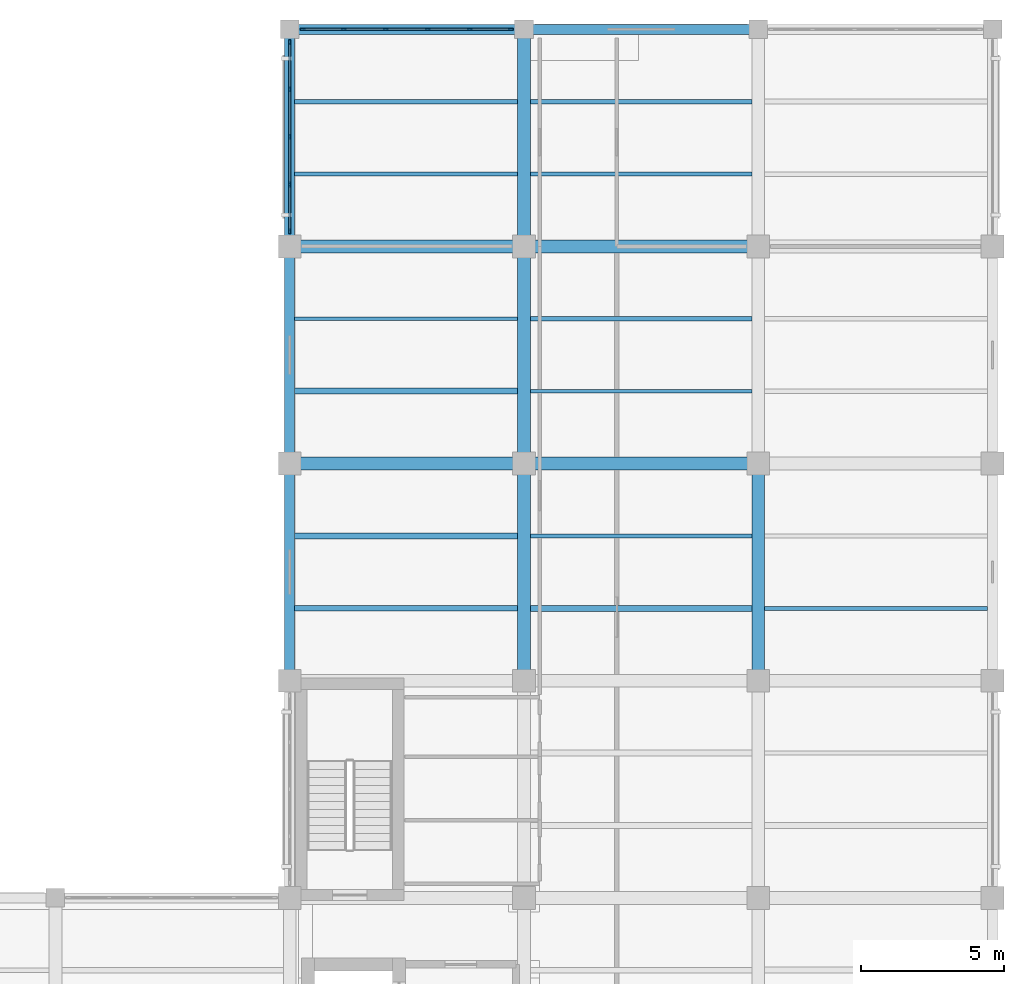
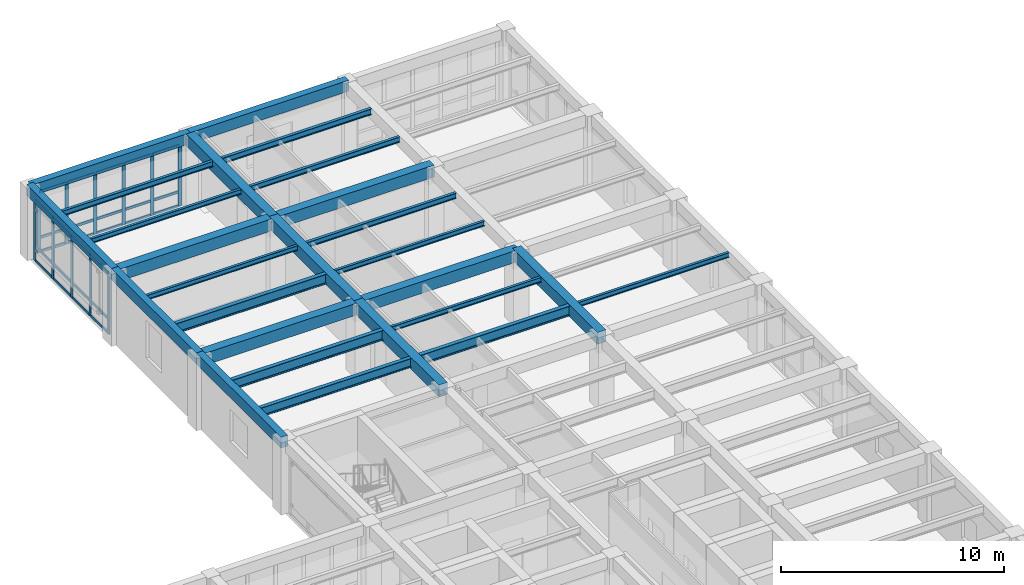
# One storey, part 4 of 14: 38 members, 26 beams, 2 elements without a shape of their own.
"""IFC4 building model written with IfcOpenShell, lengths in metres."""

from ifc_helpers import new_model, si_unit, direction, frame, origin, origin_2d, place, context, subcontext, project, spatial, rectangle, i_section, extrude, material, material_profile, profile_set, type_object, element, aggregate, save


model = new_model("IFC4")

# Units and contexts
model_context = context("Model", 3, precision=1e-05, world=origin(), true_north=direction((0.0, 1.0)))
body_context = subcontext(model_context, "Body", "Model", "MODEL_VIEW")
ifc_project = project(units=[si_unit("LENGTHUNIT", "METRE"), si_unit("AREAUNIT", "SQUARE_METRE"), si_unit("VOLUMEUNIT", "CUBIC_METRE"), si_unit("PLANEANGLEUNIT", "RADIAN"), si_unit("MASSUNIT", "GRAM", prefix="KILO")], contexts=[model_context])

# Site, building, storey
site_placement = place(None, origin())
site = spatial("IfcSite", under=ifc_project, at=site_placement, CompositionType="ELEMENT")
building_placement = place(site_placement, origin())
building = spatial("IfcBuilding", under=site, at=building_placement, Name="Qandaris Square Conservatory and Botanical Centre", CompositionType="ELEMENT")
storey_placement = place(building_placement, frame((0.0, 0.0, 40.800048828125)))
storey = spatial("IfcBuildingStorey", under=building, at=storey_placement, Name="L09", CompositionType="ELEMENT", Elevation=40.800048828125)

# Beams
ifc_material_1 = material(Name="Steel S355", Category="steel")
ifc_material_profile_1 = material_profile(ifc_material_1, i_section(OverallWidth=0.199951171875, OverallDepth=0.5, WebThickness=0.01025390625, FlangeThickness=0.01611328125, FilletRadius=0.02099609375, at=origin_2d()), Name="IPE 500")
ifc_profile_set_1 = profile_set([ifc_material_profile_1], Name="Steel S355")
beam_type_1 = type_object("IfcBeamType", Name="Composite Gallery Joist IPE 500", PredefinedType="JOIST", material=ifc_profile_set_1)
beam_1_placement = place(storey_placement, frame((139.375, 49.533203125, 3.679931640625), z_axis=(1.0, 0.0, 0.0), x_axis=(0.0, 1.0, 0.0)))
element("IfcBeam", 1, at=beam_1_placement, inside=storey, type_object=beam_type_1, Name="L09 Composite Joist 2401", PredefinedType="JOIST", context=body_context, shape_type="SweptSolid", body=[
    extrude(i_section(OverallWidth=0.199951171875, OverallDepth=0.5, WebThickness=0.01025390625, FlangeThickness=0.01611328125, FilletRadius=0.02099609375, at=origin_2d()), origin(), (0.0, 0.0, 1.0), 7.800048828125),
])
ifc_material_profile_2 = material_profile(ifc_material_1, i_section(OverallWidth=0.14990234375, OverallDepth=0.300048828125, WebThickness=0.007080078125, FlangeThickness=0.0107421875, FilletRadius=0.014892578125, at=origin_2d()), Name="IPE 300")
ifc_profile_set_2 = profile_set([ifc_material_profile_2], Name="Steel S355")
beam_type_2 = type_object("IfcBeamType", Name="Composite Lab Joist IPE 300", PredefinedType="JOIST", material=ifc_profile_set_2)
beam_2_placement = place(storey_placement, frame((139.375, 67.2666015625, 3.780029296875), z_axis=(1.0, 0.0, 0.0), x_axis=(0.0, 1.0, 0.0)))
element("IfcBeam", 2, at=beam_2_placement, inside=storey, type_object=beam_type_2, Name="L09 Composite Joist 2406", PredefinedType="JOIST", context=body_context, shape_type="SweptSolid", body=[
    extrude(i_section(OverallWidth=0.14990234375, OverallDepth=0.300048828125, WebThickness=0.007080078125, FlangeThickness=0.0107421875, FilletRadius=0.014892578125, at=origin_2d()), origin(), (0.0, 0.0, 1.0), 7.800048828125),
])
for number, where, z_axis, x_axis, name in (
    (3, (147.625, 59.666748046875, 3.780029296875), (1.0, 0.0, 0.0), (0.0, 1.0, 0.0), "L09 Composite Joist 2415"),
    (4, (147.625, 64.7333984375, 3.780029296875), (1.0, 0.0, 0.0), (0.0, 1.0, 0.0), "L09 Composite Joist 2416"),
):
    element("IfcBeam", number, at=place(storey_placement, frame(where, z_axis=z_axis, x_axis=x_axis)), inside=storey, type_object=beam_type_2, Name=name, PredefinedType="JOIST", context=body_context, shape_type="SweptSolid", body=[
        extrude(i_section(OverallWidth=0.14990234375, OverallDepth=0.300048828125, WebThickness=0.007080078125, FlangeThickness=0.0107421875, FilletRadius=0.014892578125, at=origin_2d()), origin(), (0.0, 0.0, 1.0), 7.75),
    ])
ifc_material_profile_3 = material_profile(ifc_material_1, i_section(OverallWidth=0.159912109375, OverallDepth=0.330078125, WebThickness=0.007568359375, FlangeThickness=0.011474609375, FilletRadius=0.01806640625, at=origin_2d()), Name="IPE 330")
ifc_profile_set_3 = profile_set([ifc_material_profile_3], Name="Steel S355")
beam_type_3 = type_object("IfcBeamType", Name="Composite Lab Joist IPE 330", PredefinedType="JOIST", material=ifc_profile_set_3)
beam_3_placement = place(storey_placement, frame((147.625, 67.2666015625, 3.764892578125), z_axis=(1.0, 0.0, 0.0), x_axis=(0.0, 1.0, 0.0)))
element("IfcBeam", 5, at=beam_3_placement, inside=storey, type_object=beam_type_3, Name="L09 Composite Joist 2417", PredefinedType="JOIST", context=body_context, shape_type="SweptSolid", body=[
    extrude(i_section(OverallWidth=0.159912109375, OverallDepth=0.330078125, WebThickness=0.007568359375, FlangeThickness=0.011474609375, FilletRadius=0.01806640625, at=origin_2d()), origin(), (0.0, 0.0, 1.0), 7.75),
])

# Curtain wall, members
ifc_material_2 = material(Name="Anodised Aluminium", Category="aluminium")
curtain_wall_type_1 = type_object("IfcCurtainWallType", Name="Unitised Curtain Wall CW-3-735x334", PredefinedType="USERDEFINED", material=ifc_material_2)
curtain_wall_1_placement = place(storey_placement, origin())
curtain_wall_1 = element("IfcCurtainWall", 6, at=curtain_wall_1_placement, inside=storey, type_object=curtain_wall_type_1, Name="Curtain Wall CW-TWR-L09-3-3", ObjectType="GLAZED CURTAIN WALL", PredefinedType="USERDEFINED")
ifc_material_profile_4 = material_profile(ifc_material_2, rectangle(XDim=0.06494140625, YDim=0.179931640625, at=origin_2d()), Name="ALU-MUL 65x180")
ifc_profile_set_4 = profile_set([ifc_material_profile_4], Name="Anodised Aluminium")
member_type_1 = type_object("IfcMemberType", Name="Curtain Wall Mullion 65x180", PredefinedType="MULLION", material=ifc_profile_set_4)
member_1_placement = place(storey_placement, frame((146.9423828125, 69.800048828125, 0.0), z_axis=(0.0, 0.0, 1.0), x_axis=(0.0, -1.0, 0.0)))
member_1 = element("IfcMember", 7, at=member_1_placement, type_object=member_type_1, Name="CW-3-735x334 mullion 1", PredefinedType="MULLION", context=body_context, shape_type="SweptSolid", body=[
    extrude(rectangle(XDim=0.06494140625, YDim=0.179931640625, at=origin_2d()), origin(), (0.0, 0.0, 1.0), 3.33984375),
])
member_2_placement = place(storey_placement, frame((145.5048828125, 69.800048828125, 0.0), z_axis=(0.0, 0.0, 1.0), x_axis=(0.0, -1.0, 0.0)))
member_2 = element("IfcMember", 8, at=member_2_placement, type_object=member_type_1, Name="CW-3-735x334 mullion 2", PredefinedType="MULLION", context=body_context, shape_type="SweptSolid", body=[
    extrude(rectangle(XDim=0.06494140625, YDim=0.179931640625, at=origin_2d()), origin(), (0.0, 0.0, 1.0), 3.33984375),
])
member_3_placement = place(storey_placement, frame((144.034912109375, 69.800048828125, 0.0), z_axis=(0.0, 0.0, 1.0), x_axis=(0.0, -1.0, 0.0)))
member_3 = element("IfcMember", 9, at=member_3_placement, type_object=member_type_1, Name="CW-3-735x334 mullion 3", PredefinedType="MULLION", context=body_context, shape_type="SweptSolid", body=[
    extrude(rectangle(XDim=0.06494140625, YDim=0.179931640625, at=origin_2d()), origin(), (0.0, 0.0, 1.0), 3.33984375),
])
member_4_placement = place(storey_placement, frame((142.56494140625, 69.800048828125, 0.0), z_axis=(0.0, 0.0, 1.0), x_axis=(0.0, -1.0, 0.0)))
member_4 = element("IfcMember", 10, at=member_4_placement, type_object=member_type_1, Name="CW-3-735x334 mullion 4", PredefinedType="MULLION", context=body_context, shape_type="SweptSolid", body=[
    extrude(rectangle(XDim=0.06494140625, YDim=0.179931640625, at=origin_2d()), origin(), (0.0, 0.0, 1.0), 3.33984375),
])
member_5_placement = place(storey_placement, frame((141.094970703125, 69.800048828125, 0.0), z_axis=(0.0, 0.0, 1.0), x_axis=(0.0, -1.0, 0.0)))
member_5 = element("IfcMember", 11, at=member_5_placement, type_object=member_type_1, Name="CW-3-735x334 mullion 5", PredefinedType="MULLION", context=body_context, shape_type="SweptSolid", body=[
    extrude(rectangle(XDim=0.06494140625, YDim=0.179931640625, at=origin_2d()), origin(), (0.0, 0.0, 1.0), 3.33984375),
])
member_6_placement = place(storey_placement, frame((139.657470703125, 69.800048828125, 0.0), z_axis=(0.0, 0.0, 1.0), x_axis=(0.0, -1.0, 0.0)))
member_6 = element("IfcMember", 12, at=member_6_placement, type_object=member_type_1, Name="CW-3-735x334 mullion 6", PredefinedType="MULLION", context=body_context, shape_type="SweptSolid", body=[
    extrude(rectangle(XDim=0.06494140625, YDim=0.179931640625, at=origin_2d()), origin(), (0.0, 0.0, 1.0), 3.33984375),
])

curtain_wall_type_2 = type_object("IfcCurtainWallType", Name="Unitised Curtain Wall CW-4-667x334", PredefinedType="USERDEFINED", material=ifc_material_2)
curtain_wall_2_placement = place(storey_placement, origin())
curtain_wall_2 = element("IfcCurtainWall", 13, at=curtain_wall_2_placement, inside=storey, type_object=curtain_wall_type_2, Name="Curtain Wall CW-TWR-L09-4-1", ObjectType="GLAZED CURTAIN WALL", PredefinedType="USERDEFINED")
member_7_placement = place(storey_placement, frame((139.199951171875, 69.342529296875, 0.0), z_axis=(0.0, 0.0, 1.0), x_axis=(1.0, 0.0, 0.0)))
member_7 = element("IfcMember", 14, at=member_7_placement, type_object=member_type_1, Name="CW-4-667x334 mullion 1", PredefinedType="MULLION", context=body_context, shape_type="SweptSolid", body=[
    extrude(rectangle(XDim=0.06494140625, YDim=0.179931640625, at=origin_2d()), origin(), (0.0, 0.0, 1.0), 3.33984375),
])
member_8_placement = place(storey_placement, frame((139.199951171875, 67.706298828125, 0.0), z_axis=(0.0, 0.0, 1.0), x_axis=(1.0, 0.0, 0.0)))
member_8 = element("IfcMember", 15, at=member_8_placement, type_object=member_type_1, Name="CW-4-667x334 mullion 2", PredefinedType="MULLION", context=body_context, shape_type="SweptSolid", body=[
    extrude(rectangle(XDim=0.06494140625, YDim=0.179931640625, at=origin_2d()), origin(), (0.0, 0.0, 1.0), 3.33984375),
])
member_9_placement = place(storey_placement, frame((139.199951171875, 66.03759765625, 0.0), z_axis=(0.0, 0.0, 1.0), x_axis=(1.0, 0.0, 0.0)))
member_9 = element("IfcMember", 16, at=member_9_placement, type_object=member_type_1, Name="CW-4-667x334 mullion 3", PredefinedType="MULLION", context=body_context, shape_type="SweptSolid", body=[
    extrude(rectangle(XDim=0.06494140625, YDim=0.179931640625, at=origin_2d()), origin(), (0.0, 0.0, 1.0), 3.33984375),
])
member_10_placement = place(storey_placement, frame((139.199951171875, 64.36865234375, 0.0), z_axis=(0.0, 0.0, 1.0), x_axis=(1.0, 0.0, 0.0)))
member_10 = element("IfcMember", 17, at=member_10_placement, type_object=member_type_1, Name="CW-4-667x334 mullion 4", PredefinedType="MULLION", context=body_context, shape_type="SweptSolid", body=[
    extrude(rectangle(XDim=0.06494140625, YDim=0.179931640625, at=origin_2d()), origin(), (0.0, 0.0, 1.0), 3.33984375),
])
member_11_placement = place(storey_placement, frame((139.199951171875, 62.732421875, 0.0), z_axis=(0.0, 0.0, 1.0), x_axis=(1.0, 0.0, 0.0)))
member_11 = element("IfcMember", 18, at=member_11_placement, type_object=member_type_1, Name="CW-4-667x334 mullion 5", PredefinedType="MULLION", context=body_context, shape_type="SweptSolid", body=[
    extrude(rectangle(XDim=0.06494140625, YDim=0.179931640625, at=origin_2d()), origin(), (0.0, 0.0, 1.0), 3.33984375),
])

# Member
ifc_material_profile_5 = material_profile(ifc_material_2, rectangle(XDim=0.06494140625, YDim=0.139892578125, at=origin_2d()), Name="ALU-TRN 65x140")
ifc_profile_set_5 = profile_set([ifc_material_profile_5], Name="Anodised Aluminium")
member_type_2 = type_object("IfcMemberType", Name="Curtain Wall Transom 65x140", PredefinedType="USERDEFINED", material=ifc_profile_set_5)
member_12_placement = place(storey_placement, frame((146.909912109375, 69.800048828125, 0.032470703125), z_axis=(-1.0, 0.0, 0.0), x_axis=(0.0, -1.0, 0.0)))
member_12 = element("IfcMember", 19, at=member_12_placement, type_object=member_type_2, Name="CW-3-735x334 transom 1.1", ObjectType="TRANSOM", PredefinedType="USERDEFINED", context=body_context, shape_type="SweptSolid", body=[
    extrude(rectangle(XDim=0.06494140625, YDim=0.139892578125, at=origin_2d()), origin(), (0.0, 0.0, 1.0), 1.372314453125),
])

member_13_placement = place(storey_placement, frame((146.909912109375, 69.800048828125, 0.801513671875), z_axis=(-1.0, 0.0, 0.0), x_axis=(0.0, -1.0, 0.0)))
member_13 = element("IfcMember", 20, at=member_13_placement, type_object=member_type_2, Name="CW-3-735x334 transom 1.2", ObjectType="TRANSOM", PredefinedType="USERDEFINED", context=body_context, shape_type="SweptSolid", body=[
    extrude(rectangle(XDim=0.06494140625, YDim=0.139892578125, at=origin_2d()), origin(), (0.0, 0.0, 1.0), 1.372314453125),
])

member_14_placement = place(storey_placement, frame((146.909912109375, 69.800048828125, 3.307373046875), z_axis=(-1.0, 0.0, 0.0), x_axis=(0.0, -1.0, 0.0)))
member_14 = element("IfcMember", 21, at=member_14_placement, type_object=member_type_2, Name="CW-3-735x334 transom 1.3", ObjectType="TRANSOM", PredefinedType="USERDEFINED", context=body_context, shape_type="SweptSolid", body=[
    extrude(rectangle(XDim=0.06494140625, YDim=0.139892578125, at=origin_2d()), origin(), (0.0, 0.0, 1.0), 1.372314453125),
])

member_15_placement = place(storey_placement, frame((145.472412109375, 69.800048828125, 0.032470703125), z_axis=(-1.0, 0.0, 0.0), x_axis=(0.0, -1.0, 0.0)))
member_15 = element("IfcMember", 22, at=member_15_placement, type_object=member_type_2, Name="CW-3-735x334 transom 2.1", ObjectType="TRANSOM", PredefinedType="USERDEFINED", context=body_context, shape_type="SweptSolid", body=[
    extrude(rectangle(XDim=0.06494140625, YDim=0.139892578125, at=origin_2d()), origin(), (0.0, 0.0, 1.0), 1.405029296875),
])

member_16_placement = place(storey_placement, frame((145.472412109375, 69.800048828125, 0.801513671875), z_axis=(-1.0, 0.0, 0.0), x_axis=(0.0, -1.0, 0.0)))
member_16 = element("IfcMember", 23, at=member_16_placement, type_object=member_type_2, Name="CW-3-735x334 transom 2.2", ObjectType="TRANSOM", PredefinedType="USERDEFINED", context=body_context, shape_type="SweptSolid", body=[
    extrude(rectangle(XDim=0.06494140625, YDim=0.139892578125, at=origin_2d()), origin(), (0.0, 0.0, 1.0), 1.405029296875),
])

member_17_placement = place(storey_placement, frame((145.472412109375, 69.800048828125, 3.307373046875), z_axis=(-1.0, 0.0, 0.0), x_axis=(0.0, -1.0, 0.0)))
member_17 = element("IfcMember", 24, at=member_17_placement, type_object=member_type_2, Name="CW-3-735x334 transom 2.3", ObjectType="TRANSOM", PredefinedType="USERDEFINED", context=body_context, shape_type="SweptSolid", body=[
    extrude(rectangle(XDim=0.06494140625, YDim=0.139892578125, at=origin_2d()), origin(), (0.0, 0.0, 1.0), 1.405029296875),
])

member_18_placement = place(storey_placement, frame((144.00244140625, 69.800048828125, 0.032470703125), z_axis=(-1.0, 0.0, 0.0), x_axis=(0.0, -1.0, 0.0)))
member_18 = element("IfcMember", 25, at=member_18_placement, type_object=member_type_2, Name="CW-3-735x334 transom 3.1", ObjectType="TRANSOM", PredefinedType="USERDEFINED", context=body_context, shape_type="SweptSolid", body=[
    extrude(rectangle(XDim=0.06494140625, YDim=0.139892578125, at=origin_2d()), origin(), (0.0, 0.0, 1.0), 1.405029296875),
])

member_19_placement = place(storey_placement, frame((144.00244140625, 69.800048828125, 0.801513671875), z_axis=(-1.0, 0.0, 0.0), x_axis=(0.0, -1.0, 0.0)))
member_19 = element("IfcMember", 26, at=member_19_placement, type_object=member_type_2, Name="CW-3-735x334 transom 3.2", ObjectType="TRANSOM", PredefinedType="USERDEFINED", context=body_context, shape_type="SweptSolid", body=[
    extrude(rectangle(XDim=0.06494140625, YDim=0.139892578125, at=origin_2d()), origin(), (0.0, 0.0, 1.0), 1.405029296875),
])

member_20_placement = place(storey_placement, frame((144.00244140625, 69.800048828125, 3.307373046875), z_axis=(-1.0, 0.0, 0.0), x_axis=(0.0, -1.0, 0.0)))
member_20 = element("IfcMember", 27, at=member_20_placement, type_object=member_type_2, Name="CW-3-735x334 transom 3.3", ObjectType="TRANSOM", PredefinedType="USERDEFINED", context=body_context, shape_type="SweptSolid", body=[
    extrude(rectangle(XDim=0.06494140625, YDim=0.139892578125, at=origin_2d()), origin(), (0.0, 0.0, 1.0), 1.405029296875),
])

member_21_placement = place(storey_placement, frame((142.532470703125, 69.800048828125, 0.032470703125), z_axis=(-1.0, 0.0, 0.0), x_axis=(0.0, -1.0, 0.0)))
member_21 = element("IfcMember", 28, at=member_21_placement, type_object=member_type_2, Name="CW-3-735x334 transom 4.1", ObjectType="TRANSOM", PredefinedType="USERDEFINED", context=body_context, shape_type="SweptSolid", body=[
    extrude(rectangle(XDim=0.06494140625, YDim=0.139892578125, at=origin_2d()), origin(), (0.0, 0.0, 1.0), 1.405029296875),
])

member_22_placement = place(storey_placement, frame((142.532470703125, 69.800048828125, 0.801513671875), z_axis=(-1.0, 0.0, 0.0), x_axis=(0.0, -1.0, 0.0)))
member_22 = element("IfcMember", 29, at=member_22_placement, type_object=member_type_2, Name="CW-3-735x334 transom 4.2", ObjectType="TRANSOM", PredefinedType="USERDEFINED", context=body_context, shape_type="SweptSolid", body=[
    extrude(rectangle(XDim=0.06494140625, YDim=0.139892578125, at=origin_2d()), origin(), (0.0, 0.0, 1.0), 1.405029296875),
])

member_23_placement = place(storey_placement, frame((142.532470703125, 69.800048828125, 3.307373046875), z_axis=(-1.0, 0.0, 0.0), x_axis=(0.0, -1.0, 0.0)))
member_23 = element("IfcMember", 30, at=member_23_placement, type_object=member_type_2, Name="CW-3-735x334 transom 4.3", ObjectType="TRANSOM", PredefinedType="USERDEFINED", context=body_context, shape_type="SweptSolid", body=[
    extrude(rectangle(XDim=0.06494140625, YDim=0.139892578125, at=origin_2d()), origin(), (0.0, 0.0, 1.0), 1.405029296875),
])

member_24_placement = place(storey_placement, frame((141.0625, 69.800048828125, 0.032470703125), z_axis=(-1.0, 0.0, 0.0), x_axis=(0.0, -1.0, 0.0)))
member_24 = element("IfcMember", 31, at=member_24_placement, type_object=member_type_2, Name="CW-3-735x334 transom 5.1", ObjectType="TRANSOM", PredefinedType="USERDEFINED", context=body_context, shape_type="SweptSolid", body=[
    extrude(rectangle(XDim=0.06494140625, YDim=0.139892578125, at=origin_2d()), origin(), (0.0, 0.0, 1.0), 1.37255859375),
])

member_25_placement = place(storey_placement, frame((141.0625, 69.800048828125, 0.801513671875), z_axis=(-1.0, 0.0, 0.0), x_axis=(0.0, -1.0, 0.0)))
member_25 = element("IfcMember", 32, at=member_25_placement, type_object=member_type_2, Name="CW-3-735x334 transom 5.2", ObjectType="TRANSOM", PredefinedType="USERDEFINED", context=body_context, shape_type="SweptSolid", body=[
    extrude(rectangle(XDim=0.06494140625, YDim=0.139892578125, at=origin_2d()), origin(), (0.0, 0.0, 1.0), 1.37255859375),
])

member_26_placement = place(storey_placement, frame((141.0625, 69.800048828125, 3.307373046875), z_axis=(-1.0, 0.0, 0.0), x_axis=(0.0, -1.0, 0.0)))
member_26 = element("IfcMember", 33, at=member_26_placement, type_object=member_type_2, Name="CW-3-735x334 transom 5.3", ObjectType="TRANSOM", PredefinedType="USERDEFINED", context=body_context, shape_type="SweptSolid", body=[
    extrude(rectangle(XDim=0.06494140625, YDim=0.139892578125, at=origin_2d()), origin(), (0.0, 0.0, 1.0), 1.37255859375),
])

aggregate(curtain_wall_1, [member_1, member_2, member_3, member_4, member_5, member_6, member_12, member_13, member_14, member_15, member_16, member_17, member_18, member_19, member_20, member_21, member_22, member_23, member_24, member_25, member_26])

member_27_placement = place(storey_placement, frame((139.199951171875, 69.31005859375, 0.032470703125), z_axis=(0.0, -1.0, 0.0), x_axis=(1.0, 0.0, 0.0)))
member_27 = element("IfcMember", 34, at=member_27_placement, type_object=member_type_2, Name="CW-4-667x334 transom 1.1", ObjectType="TRANSOM", PredefinedType="USERDEFINED", context=body_context, shape_type="SweptSolid", body=[
    extrude(rectangle(XDim=0.06494140625, YDim=0.139892578125, at=origin_2d()), origin(), (0.0, 0.0, 1.0), 1.5712890625),
])

member_28_placement = place(storey_placement, frame((139.199951171875, 69.31005859375, 0.801513671875), z_axis=(0.0, -1.0, 0.0), x_axis=(1.0, 0.0, 0.0)))
member_28 = element("IfcMember", 35, at=member_28_placement, type_object=member_type_2, Name="CW-4-667x334 transom 1.2", ObjectType="TRANSOM", PredefinedType="USERDEFINED", context=body_context, shape_type="SweptSolid", body=[
    extrude(rectangle(XDim=0.06494140625, YDim=0.139892578125, at=origin_2d()), origin(), (0.0, 0.0, 1.0), 1.5712890625),
])

member_29_placement = place(storey_placement, frame((139.199951171875, 69.31005859375, 3.307373046875), z_axis=(0.0, -1.0, 0.0), x_axis=(1.0, 0.0, 0.0)))
member_29 = element("IfcMember", 36, at=member_29_placement, type_object=member_type_2, Name="CW-4-667x334 transom 1.3", ObjectType="TRANSOM", PredefinedType="USERDEFINED", context=body_context, shape_type="SweptSolid", body=[
    extrude(rectangle(XDim=0.06494140625, YDim=0.139892578125, at=origin_2d()), origin(), (0.0, 0.0, 1.0), 1.5712890625),
])

member_30_placement = place(storey_placement, frame((139.199951171875, 67.673828125, 0.032470703125), z_axis=(0.0, -1.0, 0.0), x_axis=(1.0, 0.0, 0.0)))
member_30 = element("IfcMember", 37, at=member_30_placement, type_object=member_type_2, Name="CW-4-667x334 transom 2.1", ObjectType="TRANSOM", PredefinedType="USERDEFINED", context=body_context, shape_type="SweptSolid", body=[
    extrude(rectangle(XDim=0.06494140625, YDim=0.139892578125, at=origin_2d()), origin(), (0.0, 0.0, 1.0), 1.603759765625),
])

member_31_placement = place(storey_placement, frame((139.199951171875, 67.673828125, 0.801513671875), z_axis=(0.0, -1.0, 0.0), x_axis=(1.0, 0.0, 0.0)))
member_31 = element("IfcMember", 38, at=member_31_placement, type_object=member_type_2, Name="CW-4-667x334 transom 2.2", ObjectType="TRANSOM", PredefinedType="USERDEFINED", context=body_context, shape_type="SweptSolid", body=[
    extrude(rectangle(XDim=0.06494140625, YDim=0.139892578125, at=origin_2d()), origin(), (0.0, 0.0, 1.0), 1.603759765625),
])

member_32_placement = place(storey_placement, frame((139.199951171875, 67.673828125, 3.307373046875), z_axis=(0.0, -1.0, 0.0), x_axis=(1.0, 0.0, 0.0)))
member_32 = element("IfcMember", 39, at=member_32_placement, type_object=member_type_2, Name="CW-4-667x334 transom 2.3", ObjectType="TRANSOM", PredefinedType="USERDEFINED", context=body_context, shape_type="SweptSolid", body=[
    extrude(rectangle(XDim=0.06494140625, YDim=0.139892578125, at=origin_2d()), origin(), (0.0, 0.0, 1.0), 1.603759765625),
])

member_33_placement = place(storey_placement, frame((139.199951171875, 66.0048828125, 0.032470703125), z_axis=(0.0, -1.0, 0.0), x_axis=(1.0, 0.0, 0.0)))
member_33 = element("IfcMember", 40, at=member_33_placement, type_object=member_type_2, Name="CW-4-667x334 transom 3.1", ObjectType="TRANSOM", PredefinedType="USERDEFINED", context=body_context, shape_type="SweptSolid", body=[
    extrude(rectangle(XDim=0.06494140625, YDim=0.139892578125, at=origin_2d()), origin(), (0.0, 0.0, 1.0), 1.603515625),
])

member_34_placement = place(storey_placement, frame((139.199951171875, 66.0048828125, 0.801513671875), z_axis=(0.0, -1.0, 0.0), x_axis=(1.0, 0.0, 0.0)))
member_34 = element("IfcMember", 41, at=member_34_placement, type_object=member_type_2, Name="CW-4-667x334 transom 3.2", ObjectType="TRANSOM", PredefinedType="USERDEFINED", context=body_context, shape_type="SweptSolid", body=[
    extrude(rectangle(XDim=0.06494140625, YDim=0.139892578125, at=origin_2d()), origin(), (0.0, 0.0, 1.0), 1.603515625),
])

member_35_placement = place(storey_placement, frame((139.199951171875, 66.0048828125, 3.307373046875), z_axis=(0.0, -1.0, 0.0), x_axis=(1.0, 0.0, 0.0)))
member_35 = element("IfcMember", 42, at=member_35_placement, type_object=member_type_2, Name="CW-4-667x334 transom 3.3", ObjectType="TRANSOM", PredefinedType="USERDEFINED", context=body_context, shape_type="SweptSolid", body=[
    extrude(rectangle(XDim=0.06494140625, YDim=0.139892578125, at=origin_2d()), origin(), (0.0, 0.0, 1.0), 1.603515625),
])

member_36_placement = place(storey_placement, frame((139.199951171875, 64.336181640625, 0.032470703125), z_axis=(0.0, -1.0, 0.0), x_axis=(1.0, 0.0, 0.0)))
member_36 = element("IfcMember", 43, at=member_36_placement, type_object=member_type_2, Name="CW-4-667x334 transom 4.1", ObjectType="TRANSOM", PredefinedType="USERDEFINED", context=body_context, shape_type="SweptSolid", body=[
    extrude(rectangle(XDim=0.06494140625, YDim=0.139892578125, at=origin_2d()), origin(), (0.0, 0.0, 1.0), 1.5712890625),
])

member_37_placement = place(storey_placement, frame((139.199951171875, 64.336181640625, 0.801513671875), z_axis=(0.0, -1.0, 0.0), x_axis=(1.0, 0.0, 0.0)))
member_37 = element("IfcMember", 44, at=member_37_placement, type_object=member_type_2, Name="CW-4-667x334 transom 4.2", ObjectType="TRANSOM", PredefinedType="USERDEFINED", context=body_context, shape_type="SweptSolid", body=[
    extrude(rectangle(XDim=0.06494140625, YDim=0.139892578125, at=origin_2d()), origin(), (0.0, 0.0, 1.0), 1.5712890625),
])

member_38_placement = place(storey_placement, frame((139.199951171875, 64.336181640625, 3.307373046875), z_axis=(0.0, -1.0, 0.0), x_axis=(1.0, 0.0, 0.0)))
member_38 = element("IfcMember", 45, at=member_38_placement, type_object=member_type_2, Name="CW-4-667x334 transom 4.3", ObjectType="TRANSOM", PredefinedType="USERDEFINED", context=body_context, shape_type="SweptSolid", body=[
    extrude(rectangle(XDim=0.06494140625, YDim=0.139892578125, at=origin_2d()), origin(), (0.0, 0.0, 1.0), 1.5712890625),
])

aggregate(curtain_wall_2, [member_7, member_8, member_9, member_10, member_11, member_27, member_28, member_29, member_30, member_31, member_32, member_33, member_34, member_35, member_36, member_37, member_38])

# Beams
ifc_material_profile_6 = material_profile(ifc_material_1, i_section(OverallWidth=0.2099609375, OverallDepth=0.550048828125, WebThickness=0.010986328125, FlangeThickness=0.01708984375, FilletRadius=0.02392578125, at=origin_2d()), Name="IPE 550")
ifc_profile_set_6 = profile_set([ifc_material_profile_6], Name="Steel S355")
beam_type_4 = type_object("IfcBeamType", Name="Long-Span Foyer Joist IPE 550", PredefinedType="JOIST", material=ifc_profile_set_6)
for number, where, z_axis, x_axis, name in (
    (46, (139.375, 52.066650390625, 3.655029296875), (1.0, 0.0, 0.0), (0.0, 1.0, 0.0), "L09 Composite Joist 2402"),
    (47, (139.375, 57.13330078125, 3.655029296875), (1.0, 0.0, 0.0), (0.0, 1.0, 0.0), "L09 Composite Joist 2403"),
):
    element("IfcBeam", number, at=place(storey_placement, frame(where, z_axis=z_axis, x_axis=x_axis)), inside=storey, type_object=beam_type_4, Name=name, PredefinedType="JOIST", context=body_context, shape_type="SweptSolid", body=[
        extrude(i_section(OverallWidth=0.2099609375, OverallDepth=0.550048828125, WebThickness=0.010986328125, FlangeThickness=0.01708984375, FilletRadius=0.02392578125, at=origin_2d()), origin(), (0.0, 0.0, 1.0), 7.800048828125),
    ])
beam_4_placement = place(storey_placement, frame((147.625, 49.533203125, 3.655029296875), z_axis=(1.0, 0.0, 0.0), x_axis=(0.0, 1.0, 0.0)))
element("IfcBeam", 48, at=beam_4_placement, inside=storey, type_object=beam_type_4, Name="L09 Composite Joist 2412", PredefinedType="JOIST", context=body_context, shape_type="SweptSolid", body=[
    extrude(i_section(OverallWidth=0.2099609375, OverallDepth=0.550048828125, WebThickness=0.010986328125, FlangeThickness=0.01708984375, FilletRadius=0.02392578125, at=origin_2d()), origin(), (0.0, 0.0, 1.0), 7.75),
])
ifc_material_3 = material(Name="Concrete C50/60", Category="concrete")
ifc_material_profile_7 = material_profile(ifc_material_3, rectangle(XDim=0.35009765625, YDim=0.60009765625, at=origin_2d()), Name="RC-SP 350x600")
ifc_profile_set_7 = profile_set([ifc_material_profile_7], Name="Concrete C50/60")
beam_type_5 = type_object("IfcBeamType", Name="RC Edge Spandrel Beam 350x600", PredefinedType="SPANDREL", material=ifc_profile_set_7)
beam_5_placement = place(storey_placement, frame((139.199951171875, 69.800048828125, 3.639892578125), z_axis=(1.0, 0.0, 0.0), x_axis=(0.0, 1.0, 0.0)))
element("IfcBeam", 49, at=beam_5_placement, inside=storey, type_object=beam_type_5, Name="L09 Frame Beam 2349", PredefinedType="SPANDREL", context=body_context, shape_type="SweptSolid", body=[
    extrude(rectangle(XDim=0.35009765625, YDim=0.60009765625, at=origin_2d()), origin(), (0.0, 0.0, 1.0), 8.199951171875),
])
beam_6_placement = place(storey_placement, frame((147.39990234375, 69.800048828125, 3.639892578125), z_axis=(1.0, 0.0, 0.0), x_axis=(0.0, 1.0, 0.0)))
element("IfcBeam", 50, at=beam_6_placement, inside=storey, type_object=beam_type_5, Name="L09 Frame Beam 2350", PredefinedType="SPANDREL", context=body_context, shape_type="SweptSolid", body=[
    extrude(rectangle(XDim=0.35009765625, YDim=0.60009765625, at=origin_2d()), origin(), (0.0, 0.0, 1.0), 8.2001953125),
])
beam_7_placement = place(storey_placement, frame((139.199951171875, 47.0, 3.639892578125), z_axis=(0.0, 1.0, 0.0), x_axis=(-1.0, 0.0, 0.0)))
element("IfcBeam", 51, at=beam_7_placement, inside=storey, type_object=beam_type_5, Name="L09 Frame Beam 2362", PredefinedType="SPANDREL", context=body_context, shape_type="SweptSolid", body=[
    extrude(rectangle(XDim=0.35009765625, YDim=0.60009765625, at=origin_2d()), origin(), (0.0, 0.0, 1.0), 7.60009765625),
])
beam_8_placement = place(storey_placement, frame((139.199951171875, 54.60009765625, 3.639892578125), z_axis=(0.0, 1.0, 0.0), x_axis=(-1.0, 0.0, 0.0)))
element("IfcBeam", 52, at=beam_8_placement, inside=storey, type_object=beam_type_5, Name="L09 Frame Beam 2363", PredefinedType="SPANDREL", context=body_context, shape_type="SweptSolid", body=[
    extrude(rectangle(XDim=0.35009765625, YDim=0.60009765625, at=origin_2d()), origin(), (0.0, 0.0, 1.0), 7.599853515625),
])
beam_9_placement = place(storey_placement, frame((139.199951171875, 62.199951171875, 3.639892578125), z_axis=(0.0, 1.0, 0.0), x_axis=(-1.0, 0.0, 0.0)))
element("IfcBeam", 53, at=beam_9_placement, inside=storey, type_object=beam_type_5, Name="L09 Frame Beam 2364", PredefinedType="SPANDREL", context=body_context, shape_type="SweptSolid", body=[
    extrude(rectangle(XDim=0.35009765625, YDim=0.60009765625, at=origin_2d()), origin(), (0.0, 0.0, 1.0), 7.60009765625),
])
ifc_material_profile_8 = material_profile(ifc_material_3, rectangle(XDim=0.449951171875, YDim=0.64990234375, at=origin_2d()), Name="RC-BM 450x650")
ifc_profile_set_8 = profile_set([ifc_material_profile_8], Name="Concrete C50/60")
beam_type_6 = type_object("IfcBeamType", Name="RC Floor Girder 450x650", PredefinedType="BEAM", material=ifc_profile_set_8)
beam_10_placement = place(storey_placement, frame((139.199951171875, 54.60009765625, 3.614990234375), z_axis=(1.0, 0.0, 0.0), x_axis=(0.0, 1.0, 0.0)))
element("IfcBeam", 54, at=beam_10_placement, inside=storey, type_object=beam_type_6, Name="L09 Frame Beam 2343", PredefinedType="BEAM", context=body_context, shape_type="SweptSolid", body=[
    extrude(rectangle(XDim=0.449951171875, YDim=0.64990234375, at=origin_2d()), origin(), (0.0, 0.0, 1.0), 8.199951171875),
])
beam_11_placement = place(storey_placement, frame((147.39990234375, 54.60009765625, 3.614990234375), z_axis=(1.0, 0.0, 0.0), x_axis=(0.0, 1.0, 0.0)))
element("IfcBeam", 55, at=beam_11_placement, inside=storey, type_object=beam_type_6, Name="L09 Frame Beam 2344", PredefinedType="BEAM", context=body_context, shape_type="SweptSolid", body=[
    extrude(rectangle(XDim=0.449951171875, YDim=0.64990234375, at=origin_2d()), origin(), (0.0, 0.0, 1.0), 8.2001953125),
])
beam_12_placement = place(storey_placement, frame((139.199951171875, 62.199951171875, 3.614990234375), z_axis=(1.0, 0.0, 0.0), x_axis=(0.0, 1.0, 0.0)))
element("IfcBeam", 56, at=beam_12_placement, inside=storey, type_object=beam_type_6, Name="L09 Frame Beam 2346", PredefinedType="BEAM", context=body_context, shape_type="SweptSolid", body=[
    extrude(rectangle(XDim=0.449951171875, YDim=0.64990234375, at=origin_2d()), origin(), (0.0, 0.0, 1.0), 8.199951171875),
])
beam_13_placement = place(storey_placement, frame((147.39990234375, 62.199951171875, 3.614990234375), z_axis=(1.0, 0.0, 0.0), x_axis=(0.0, 1.0, 0.0)))
element("IfcBeam", 57, at=beam_13_placement, inside=storey, type_object=beam_type_6, Name="L09 Frame Beam 2347", PredefinedType="BEAM", context=body_context, shape_type="SweptSolid", body=[
    extrude(rectangle(XDim=0.449951171875, YDim=0.64990234375, at=origin_2d()), origin(), (0.0, 0.0, 1.0), 8.2001953125),
])
beam_14_placement = place(storey_placement, frame((147.39990234375, 47.0, 3.614990234375), z_axis=(0.0, 1.0, 0.0), x_axis=(-1.0, 0.0, 0.0)))
element("IfcBeam", 58, at=beam_14_placement, inside=storey, type_object=beam_type_6, Name="L09 Frame Beam 2369", PredefinedType="BEAM", context=body_context, shape_type="SweptSolid", body=[
    extrude(rectangle(XDim=0.449951171875, YDim=0.64990234375, at=origin_2d()), origin(), (0.0, 0.0, 1.0), 7.60009765625),
])
beam_15_placement = place(storey_placement, frame((147.39990234375, 54.60009765625, 3.614990234375), z_axis=(0.0, 1.0, 0.0), x_axis=(-1.0, 0.0, 0.0)))
element("IfcBeam", 59, at=beam_15_placement, inside=storey, type_object=beam_type_6, Name="L09 Frame Beam 2370", PredefinedType="BEAM", context=body_context, shape_type="SweptSolid", body=[
    extrude(rectangle(XDim=0.449951171875, YDim=0.64990234375, at=origin_2d()), origin(), (0.0, 0.0, 1.0), 7.599853515625),
])
for number, where, z_axis, x_axis, name in (
    (60, (147.39990234375, 62.199951171875, 3.614990234375), (0.0, 1.0, 0.0), (-1.0, 0.0, 0.0), "L09 Frame Beam 2371"),
    (61, (155.60009765625, 47.0, 3.614990234375), (0.0, 1.0, 0.0), (-1.0, 0.0, 0.0), "L09 Frame Beam 2376"),
):
    element("IfcBeam", number, at=place(storey_placement, frame(where, z_axis=z_axis, x_axis=x_axis)), inside=storey, type_object=beam_type_6, Name=name, PredefinedType="BEAM", context=body_context, shape_type="SweptSolid", body=[
        extrude(rectangle(XDim=0.449951171875, YDim=0.64990234375, at=origin_2d()), origin(), (0.0, 0.0, 1.0), 7.60009765625),
    ])
ifc_material_profile_9 = material_profile(ifc_material_1, i_section(OverallWidth=0.135009765625, OverallDepth=0.27001953125, WebThickness=0.006591796875, FlangeThickness=0.01025390625, FilletRadius=0.014892578125, at=origin_2d()), Name="IPE 270")
ifc_profile_set_9 = profile_set([ifc_material_profile_9], Name="Steel S355")
beam_type_7 = type_object("IfcBeamType", Name="Steel Floor Joist IPE 270", PredefinedType="JOIST", material=ifc_profile_set_9)
for number, where, z_axis, x_axis, name in (
    (62, (139.375, 59.666748046875, 3.794921875), (1.0, 0.0, 0.0), (0.0, 1.0, 0.0), "L09 Composite Joist 2404"),
    (63, (139.375, 64.7333984375, 3.794921875), (1.0, 0.0, 0.0), (0.0, 1.0, 0.0), "L09 Composite Joist 2405"),
):
    element("IfcBeam", number, at=place(storey_placement, frame(where, z_axis=z_axis, x_axis=x_axis)), inside=storey, type_object=beam_type_7, Name=name, PredefinedType="JOIST", context=body_context, shape_type="SweptSolid", body=[
        extrude(i_section(OverallWidth=0.135009765625, OverallDepth=0.27001953125, WebThickness=0.006591796875, FlangeThickness=0.01025390625, FilletRadius=0.014892578125, at=origin_2d()), origin(), (0.0, 0.0, 1.0), 7.800048828125),
    ])
for number, where, z_axis, x_axis, name in (
    (64, (147.625, 52.066650390625, 3.794921875), (1.0, 0.0, 0.0), (0.0, 1.0, 0.0), "L09 Composite Joist 2413"),
    (65, (147.625, 57.13330078125, 3.794921875), (1.0, 0.0, 0.0), (0.0, 1.0, 0.0), "L09 Composite Joist 2414"),
):
    element("IfcBeam", number, at=place(storey_placement, frame(where, z_axis=z_axis, x_axis=x_axis)), inside=storey, type_object=beam_type_7, Name=name, PredefinedType="JOIST", context=body_context, shape_type="SweptSolid", body=[
        extrude(i_section(OverallWidth=0.135009765625, OverallDepth=0.27001953125, WebThickness=0.006591796875, FlangeThickness=0.01025390625, FilletRadius=0.014892578125, at=origin_2d()), origin(), (0.0, 0.0, 1.0), 7.75),
    ])
beam_16_placement = place(storey_placement, frame((155.824951171875, 49.533203125, 3.794921875), z_axis=(1.0, 0.0, 0.0), x_axis=(0.0, 1.0, 0.0)))
element("IfcBeam", 66, at=beam_16_placement, inside=storey, type_object=beam_type_7, Name="L09 Composite Joist 2426", PredefinedType="JOIST", context=body_context, shape_type="SweptSolid", body=[
    extrude(i_section(OverallWidth=0.135009765625, OverallDepth=0.27001953125, WebThickness=0.006591796875, FlangeThickness=0.01025390625, FilletRadius=0.014892578125, at=origin_2d()), origin(), (0.0, 0.0, 1.0), 7.800048828125),
])

save(model, "model.ifc")
